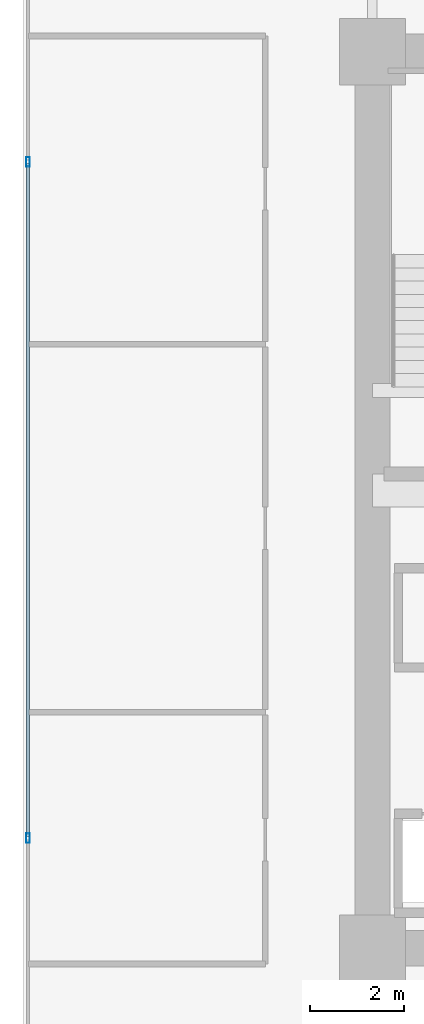
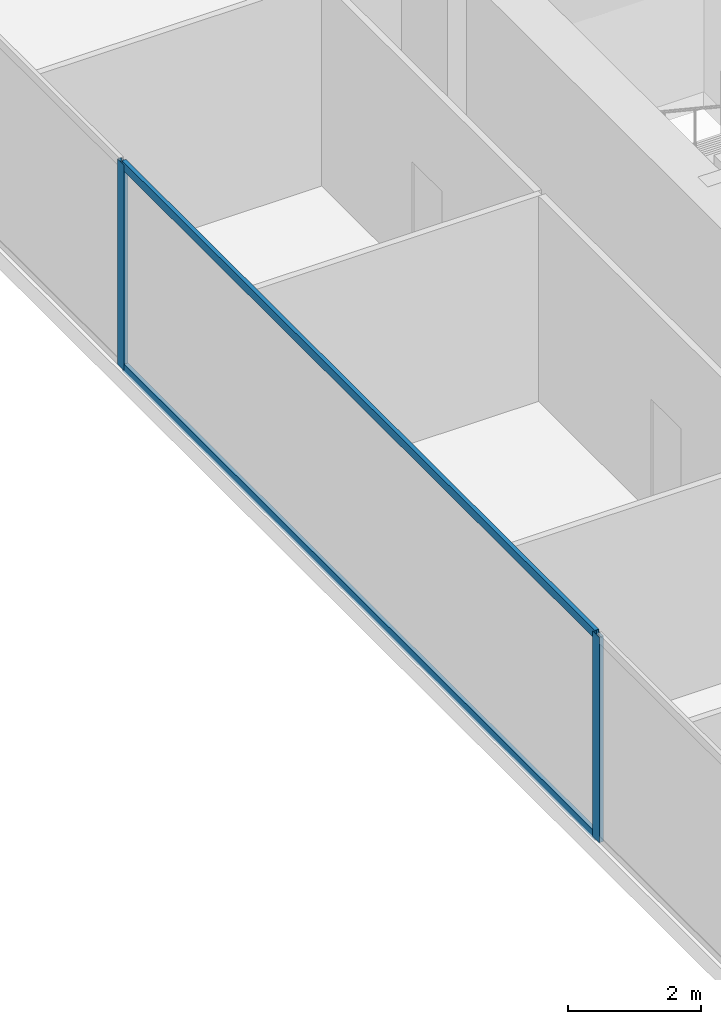
# One storey, part 6 of 35: 4 members, 1 element without a shape of its own.
"""IFC4 building model written with IfcOpenShell, lengths in metres."""

from ifc_helpers import new_model, si_unit, direction, frame, origin, origin_2d, place, context, subcontext, project, spatial, hollow_rectangle, extrude, source, transform, mapped, material, layer, layer_set, material_profile, profile_set, type_object, type_shapes, element, aggregate, save


model = new_model("IFC4")

# Units and contexts
model_context = context("Model", 3, precision=1e-05, world=origin(), true_north=direction((0.0, 1.0)))
body_context = subcontext(model_context, "Body", "Model", "MODEL_VIEW")
ifc_project = project(units=[si_unit("LENGTHUNIT", "METRE"), si_unit("AREAUNIT", "SQUARE_METRE"), si_unit("VOLUMEUNIT", "CUBIC_METRE"), si_unit("PLANEANGLEUNIT", "RADIAN"), si_unit("MASSUNIT", "GRAM", prefix="KILO")], contexts=[model_context])

# Site, building, storey
site_placement = place(None, origin())
site = spatial("IfcSite", under=ifc_project, at=site_placement, CompositionType="ELEMENT")
building_placement = place(site_placement, origin())
building = spatial("IfcBuilding", under=site, at=building_placement, Name="Haelvirn Gate Laboratories", CompositionType="ELEMENT")
storey_placement = place(building_placement, frame((0.0, 0.0, 37.5)))
storey = spatial("IfcBuildingStorey", under=building, at=storey_placement, Name="L09", CompositionType="ELEMENT", Elevation=37.5)

# Curtain wall, members
ifc_material_1 = material(Name="Anodised bronze unitised aluminium & triple low-E glass", Category="aluminium")
ifc_layer = layer(ifc_material_1, 0.18408203125, Name="CW-SYS-2")
ifc_layer_set = layer_set([ifc_layer], Name="Anodised bronze unitised aluminium & triple low-E glass")
curtain_wall_type = type_object("IfcCurtainWallType", Name="CW-SYS-2", PredefinedType="NOTDEFINED", material=ifc_layer_set)
curtain_wall_placement = place(storey_placement, origin())
curtain_wall = element("IfcCurtainWall", 1, at=curtain_wall_placement, inside=storey, type_object=curtain_wall_type, Name="L09 Unitised Curtain Wall CW-L09-P0-E17", PredefinedType="NOTDEFINED")
ifc_material_2 = material(Name="Extruded aluminium 6063-T6 (anodised bronze)", Category="aluminium")
ifc_material_profile_1 = material_profile(ifc_material_2, hollow_rectangle(XDim=0.074951171875, YDim=0.199951171875, WallThickness=0.0048828125, at=origin_2d()), Name="CWM-200x75x5")
ifc_profile_set_1 = profile_set([ifc_material_profile_1], Name="Extruded aluminium 6063-T6 (anodised bronze)")
member_type_1 = type_object("IfcMemberType", Name="CWM-T200", PredefinedType="MULLION", material=ifc_profile_set_1)
shared_shape_1 = source(origin(), body_context, "Body", "SweptSolid", [
    extrude(hollow_rectangle(XDim=0.074951171875, YDim=0.199951171875, WallThickness=0.0048828125, at=origin_2d()), origin(), (0.0, 0.0, 1.0), 3.780029296875),
])
type_shapes(member_type_1, [shared_shape_1])
member_1_placement = place(storey_placement, frame((0.10009765625, 31.466552734375, 0.0), z_axis=(0.0, 0.0, 1.0), x_axis=(1.0, 0.0, 0.0)))
member_1 = element("IfcMember", 2, at=member_1_placement, type_object=member_type_1, Name="CW2 mullion 2", PredefinedType="MULLION", context=body_context, shape_type="MappedRepresentation", body=[
    mapped(shared_shape_1, transform((0.0, 0.0, 0.0), scale=1.0)),
])
member_2_placement = place(storey_placement, frame((0.10009765625, 17.13330078125, 0.0), z_axis=(0.0, 0.0, 1.0), x_axis=(1.0, 0.0, 0.0)))
member_2 = element("IfcMember", 3, at=member_2_placement, type_object=member_type_1, Name="CW2 mullion 3", PredefinedType="MULLION", context=body_context, shape_type="MappedRepresentation", body=[
    mapped(shared_shape_1, transform((0.0, 0.0, 0.0), scale=1.0)),
])
ifc_material_profile_2 = material_profile(ifc_material_2, hollow_rectangle(XDim=0.070068359375, YDim=0.159912109375, WallThickness=0.0048828125, at=origin_2d()), Name="CWT-160x70x5")
ifc_profile_set_2 = profile_set([ifc_material_profile_2], Name="Extruded aluminium 6063-T6 (anodised bronze)")
member_type_2 = type_object("IfcMemberType", Name="CWT-T160", PredefinedType="USERDEFINED", material=ifc_profile_set_2)
shared_shape_2 = source(origin(), body_context, "Body", "SweptSolid", [
    extrude(hollow_rectangle(XDim=0.070068359375, YDim=0.159912109375, WallThickness=0.0048828125, at=origin_2d()), origin(), (0.0, 0.0, 1.0), 14.25830078125),
])
type_shapes(member_type_2, [shared_shape_2])
member_3_placement = place(storey_placement, frame((0.10009765625, 31.42919921875, 0.034912109375), z_axis=(0.0, -1.0, 0.0), x_axis=(1.0, 0.0, 0.0)))
member_3 = element("IfcMember", 4, at=member_3_placement, type_object=member_type_2, Name="CW2 transom 2.1", ObjectType="TRANSOM", PredefinedType="USERDEFINED", context=body_context, shape_type="MappedRepresentation", body=[
    mapped(shared_shape_2, transform((0.0, 0.0, 0.0), scale=1.0)),
])
member_4_placement = place(storey_placement, frame((0.10009765625, 31.42919921875, 3.7451171875), z_axis=(0.0, -1.0, 0.0), x_axis=(1.0, 0.0, 0.0)))
member_4 = element("IfcMember", 5, at=member_4_placement, type_object=member_type_2, Name="CW2 transom 2.2", ObjectType="TRANSOM", PredefinedType="USERDEFINED", context=body_context, shape_type="MappedRepresentation", body=[
    mapped(shared_shape_2, transform((0.0, 0.0, 0.0), scale=1.0)),
])
aggregate(curtain_wall, [member_1, member_2, member_3, member_4])

save(model, "model.ifc")
